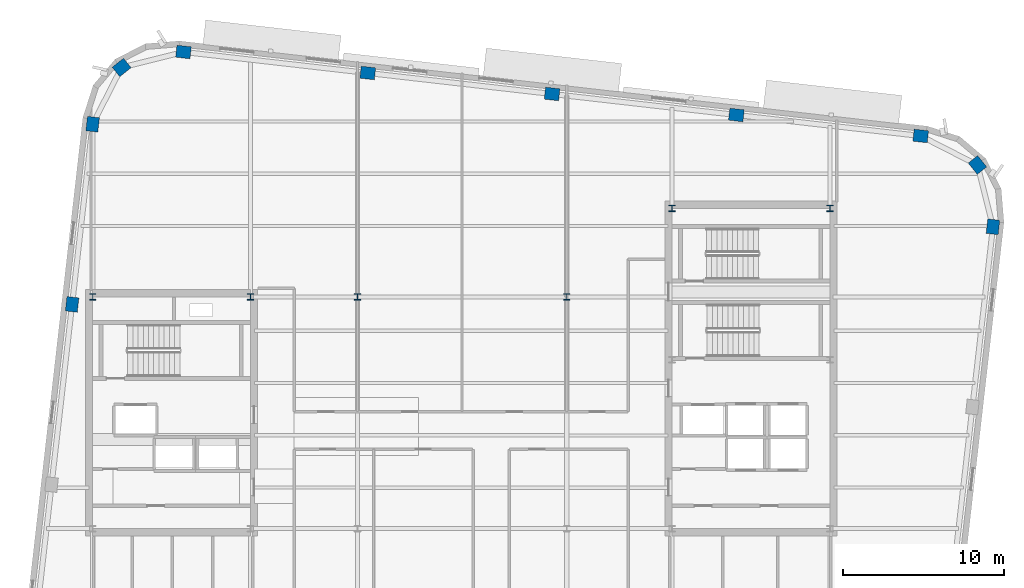
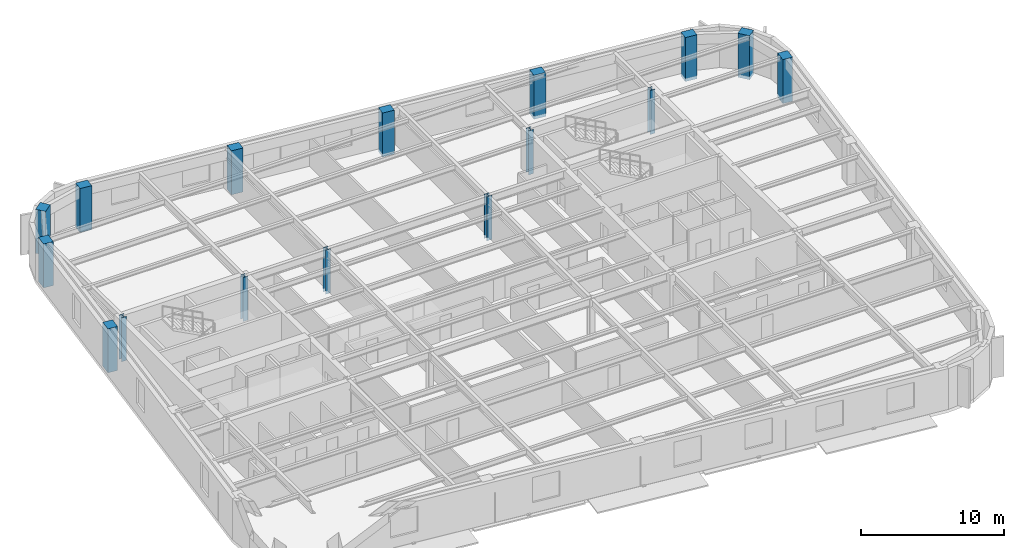
# One storey, part 2 of 14: 16 columns.
"""IFC4 building model written with IfcOpenShell, lengths in metres."""

from ifc_helpers import new_model, si_unit, direction, frame, origin, origin_2d, place, context, subcontext, project, spatial, rectangle, i_section, extrude, material, material_profile, profile_set, type_object, element, save


model = new_model("IFC4")

# Units and contexts
model_context = context("Model", 3, precision=1e-05, world=origin(), true_north=direction((0.0, 1.0)))
body_context = subcontext(model_context, "Body", "Model", "MODEL_VIEW")
ifc_project = project(units=[si_unit("LENGTHUNIT", "METRE"), si_unit("AREAUNIT", "SQUARE_METRE"), si_unit("VOLUMEUNIT", "CUBIC_METRE"), si_unit("PLANEANGLEUNIT", "RADIAN"), si_unit("MASSUNIT", "GRAM", prefix="KILO")], contexts=[model_context])

# Site, building, storey
site_placement = place(None, origin())
site = spatial("IfcSite", under=ifc_project, at=site_placement, CompositionType="ELEMENT")
building_placement = place(site_placement, origin())
building = spatial("IfcBuilding", under=site, at=building_placement, Name="Kolvaren Arena Tower", CompositionType="ELEMENT")
storey_placement = place(building_placement, frame((0.0, 0.0, 224.699951171875)))
storey = spatial("IfcBuildingStorey", under=building, at=storey_placement, Name="L54", CompositionType="ELEMENT", Elevation=224.699951171875)

# Columns
ifc_material_1 = material(Name="Precast concrete C55/67", Category="concrete")
ifc_material_profile_1 = material_profile(ifc_material_1, rectangle(XDim=0.89990234375, YDim=0.75, at=origin_2d()), Name="RC-900x750")
ifc_profile_set_1 = profile_set([ifc_material_profile_1], Name="Precast concrete C55/67")
column_type_1 = type_object("IfcColumnType", Name="EXCOL-Z4", PredefinedType="COLUMN", material=ifc_profile_set_1)
for number, where, z_axis, x_axis, name in (
    (1, (70.482177734375, 38.20458984375, -0.27001953125), (0.0, 0.0, 1.0), (0.113203213768, 0.993571855677, 0.0), "Exoskeleton Perimeter Column 10 (L54)"),
    (2, (69.519775390625, 42.047119140625, -0.27001953125), (0.0, 0.0, 1.0), (-0.622514636638, 0.782608156852, 0.0), "Exoskeleton Perimeter Column 11 (L54)"),
    (3, (65.9921875, 43.84912109375, -0.27001953125), (0.0, 0.0, 1.0), (0.993571855677, -0.113203213768, 0.0), "Exoskeleton Perimeter Column 12 (L54)"),
    (4, (54.54150390625, 45.15380859375, -0.27001953125), (0.0, 0.0, 1.0), (0.993571855677, -0.113203213768, 0.0), "Exoskeleton Perimeter Column 13 (L54)"),
    (5, (43.090576171875, 46.45849609375, -0.27001953125), (0.0, 0.0, 1.0), (0.993571855677, -0.113203213768, 0.0), "Exoskeleton Perimeter Column 14 (L54)"),
    (6, (31.6396484375, 47.76318359375, -0.27001953125), (0.0, 0.0, 1.0), (0.993571855677, -0.113203213768, 0.0), "Exoskeleton Perimeter Column 15 (L54)"),
    (7, (20.188720703125, 49.06787109375, -0.27001953125), (0.0, 0.0, 1.0), (0.993571855677, -0.113203213768, 0.0), "Exoskeleton Perimeter Column 16 (L54)"),
    (8, (16.34619140625, 48.10546875, -0.27001953125), (0.0, 0.0, 1.0), (0.782608156852, 0.622514636638, 0.0), "Exoskeleton Perimeter Column 17 (L54)"),
    (9, (14.544189453125, 44.577880859375, -0.27001953125), (0.0, 0.0, 1.0), (0.113203213768, 0.993571855677, 0.0), "Exoskeleton Perimeter Column 18 (L54)"),
    (10, (13.268798828125, 33.3837890625, -0.27001953125), (0.0, 0.0, 1.0), (0.113203213768, 0.993571855677, 0.0), "Exoskeleton Perimeter Column 19 (L54)"),
):
    element("IfcColumn", number, at=place(storey_placement, frame(where, z_axis=z_axis, x_axis=x_axis)), inside=storey, type_object=column_type_1, Name=name, PredefinedType="COLUMN", context=body_context, shape_type="SweptSolid", body=[
        extrude(rectangle(XDim=0.89990234375, YDim=0.75, at=origin_2d()), origin(), (0.0, 0.0, 1.0), 3.75),
    ])
ifc_material_2 = material(Name="Steel ASTM A913 Grade 65", Category="steel")
ifc_material_profile_2 = material_profile(ifc_material_2, i_section(OverallWidth=0.39892578125, OverallDepth=0.39306640625, WebThickness=0.022705078125, FlangeThickness=0.03662109375, FilletRadius=0.02001953125, at=origin_2d()), Name="W360x287")
ifc_profile_set_2 = profile_set([ifc_material_profile_2], Name="Steel ASTM A913 Grade 65")
column_type_2 = type_object("IfcColumnType", Name="SCOL-Z4", PredefinedType="COLUMN", material=ifc_profile_set_2)
for number, where, z_axis, x_axis, name in (
    (11, (14.550048828125, 33.85009765625, -0.27001953125), (0.0, 0.0, 1.0), (1.0, 0.0, 0.0), "Core Boundary Column WC-NW (L54)"),
    (12, (24.35009765625, 33.85009765625, -0.27001953125), (0.0, 0.0, 1.0), (1.0, 0.0, 0.0), "Core Boundary Column WC-NE (L54)"),
    (13, (50.550048828125, 39.35009765625, -0.27001953125), (0.0, 0.0, 1.0), (1.0, 0.0, 0.0), "Core Boundary Column EC-NW (L54)"),
    (14, (60.35009765625, 39.35009765625, -0.27001953125), (0.0, 0.0, 1.0), (1.0, 0.0, 0.0), "Core Boundary Column EC-NE (L54)"),
    (15, (31.0, 33.85009765625, -0.27001953125), (0.0, 0.0, 1.0), (1.0, 0.0, 0.0), "Interior Gravity Column TC-NW (L54)"),
    (16, (44.0, 33.85009765625, -0.27001953125), (0.0, 0.0, 1.0), (1.0, 0.0, 0.0), "Interior Gravity Column TC-NE (L54)"),
):
    element("IfcColumn", number, at=place(storey_placement, frame(where, z_axis=z_axis, x_axis=x_axis)), inside=storey, type_object=column_type_2, Name=name, PredefinedType="COLUMN", context=body_context, shape_type="SweptSolid", body=[
        extrude(i_section(OverallWidth=0.39892578125, OverallDepth=0.39306640625, WebThickness=0.022705078125, FlangeThickness=0.03662109375, FilletRadius=0.02001953125, at=origin_2d()), origin(), (0.0, 0.0, 1.0), 3.75),
    ])

save(model, "model.ifc")
